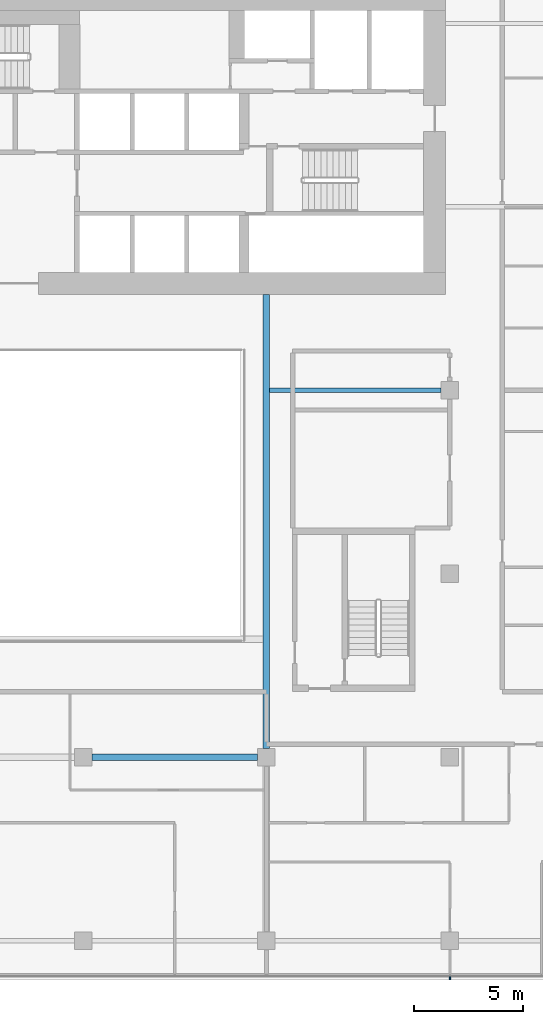
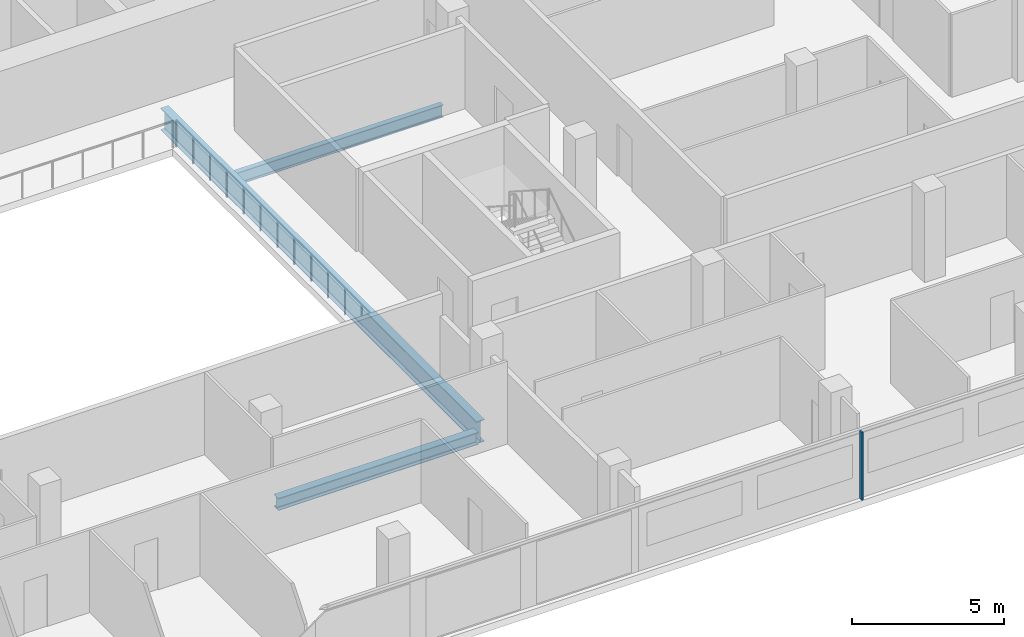
# One storey, part 6 of 27: 3 beams, 1 member, 1 element without a shape of its own.
"""IFC4 building model written with IfcOpenShell, lengths in metres."""

from ifc_helpers import new_model, si_unit, direction, frame, origin, origin_2d, place, context, subcontext, project, spatial, rectangle, i_section, extrude, material, material_profile, profile_set, type_object, element, aggregate, save


model = new_model("IFC4")

# Units and contexts
model_context = context("Model", 3, precision=1e-05, world=origin(), true_north=direction((0.0, 1.0)))
body_context = subcontext(model_context, "Body", "Model", "MODEL_VIEW")
ifc_project = project(units=[si_unit("LENGTHUNIT", "METRE"), si_unit("AREAUNIT", "SQUARE_METRE"), si_unit("VOLUMEUNIT", "CUBIC_METRE"), si_unit("PLANEANGLEUNIT", "RADIAN"), si_unit("MASSUNIT", "GRAM", prefix="KILO")], contexts=[model_context])

# Site, building, storey
site_placement = place(None, origin())
site = spatial("IfcSite", under=ifc_project, at=site_placement, CompositionType="ELEMENT")
building_placement = place(site_placement, origin())
building = spatial("IfcBuilding", under=site, at=building_placement, Name="Saffron Gate Tower", CompositionType="ELEMENT")
storey_placement = place(building_placement, frame((0.0, 0.0, 134.85009765625)))
storey = spatial("IfcBuildingStorey", under=building, at=storey_placement, Name="L32", CompositionType="ELEMENT", Elevation=134.85009765625)

# Beams
ifc_material_1 = material(Name="Structural steel S355", Category="steel")
ifc_material_profile_1 = material_profile(ifc_material_1, i_section(OverallWidth=0.199951171875, OverallDepth=0.5, WebThickness=0.01025390625, FlangeThickness=0.01611328125, FilletRadius=0.02099609375, at=origin_2d()))
ifc_profile_set_1 = profile_set([ifc_material_profile_1], Name="Structural steel S355")
beam_type_1 = type_object("IfcBeamType", Name="B10 IPE 500", PredefinedType="BEAM", material=ifc_profile_set_1)
beam_1_placement = place(storey_placement, frame((108.199951171875, 57.0, -0.530029296875), z_axis=(-1.0, 0.0, 0.0), x_axis=(0.0, -1.0, 0.0)))
element("IfcBeam", 1, at=beam_1_placement, inside=storey, type_object=beam_type_1, Name="B10 CORE TIE BEAM", PredefinedType="BEAM", context=body_context, shape_type="SweptSolid", body=[
    extrude(i_section(OverallWidth=0.199951171875, OverallDepth=0.5, WebThickness=0.01025390625, FlangeThickness=0.01611328125, FilletRadius=0.02099609375, at=origin_2d()), origin(), (0.0, 0.0, 1.0), 7.849853515625),
])
ifc_material_profile_2 = material_profile(ifc_material_1, i_section(OverallWidth=0.300048828125, OverallDepth=0.889892578125, WebThickness=0.01611328125, FlangeThickness=0.030029296875, FilletRadius=0.030029296875, at=origin_2d()))
ifc_profile_set_2 = profile_set([ifc_material_profile_2], Name="Structural steel S355")
beam_type_2 = type_object("IfcBeamType", Name="B19 HEA 900", PredefinedType="BEAM", material=ifc_profile_set_2)
beam_2_placement = place(storey_placement, frame((100.199951171875, 40.60009765625, -0.72509765625), z_axis=(0.0, 1.0, 0.0), x_axis=(-1.0, 0.0, 0.0)))
element("IfcBeam", 2, at=beam_2_placement, inside=storey, type_object=beam_type_2, Name="B19 ATRIUM GIRDER", PredefinedType="BEAM", context=body_context, shape_type="SweptSolid", body=[
    extrude(i_section(OverallWidth=0.300048828125, OverallDepth=0.889892578125, WebThickness=0.01611328125, FlangeThickness=0.030029296875, FilletRadius=0.030029296875, at=origin_2d()), origin(), (0.0, 0.0, 1.0), 20.7998046875),
])
ifc_material_profile_3 = material_profile(ifc_material_1, i_section(OverallWidth=0.300048828125, OverallDepth=0.489990234375, WebThickness=0.011962890625, FlangeThickness=0.02294921875, FilletRadius=0.027099609375, at=origin_2d()))
ifc_profile_set_3 = profile_set([ifc_material_profile_3], Name="Structural steel S355")
beam_type_3 = type_object("IfcBeamType", Name="B8 HEA 500", PredefinedType="BEAM", material=ifc_profile_set_3)
beam_3_placement = place(storey_placement, frame((92.199951171875, 40.199951171875, -0.525146484375), z_axis=(1.0, 0.0, 0.0), x_axis=(0.0, 1.0, 0.0)))
element("IfcBeam", 3, at=beam_3_placement, inside=storey, type_object=beam_type_3, Name="B8 FLOOR GIRDER", PredefinedType="BEAM", context=body_context, shape_type="SweptSolid", body=[
    extrude(i_section(OverallWidth=0.300048828125, OverallDepth=0.489990234375, WebThickness=0.011962890625, FlangeThickness=0.02294921875, FilletRadius=0.027099609375, at=origin_2d()), origin(), (0.0, 0.0, 1.0), 7.60009765625),
])

# Curtain wall, member
ifc_material_2 = material(Name="Aluminium, bronze anodised", Category="aluminium")
curtain_wall_type = type_object("IfcCurtainWallType", Name="CWS1 curtain wall front facade", PredefinedType="NOTDEFINED", material=ifc_material_2)
curtain_wall_placement = place(storey_placement, origin())
curtain_wall = element("IfcCurtainWall", 4, at=curtain_wall_placement, inside=storey, type_object=curtain_wall_type, Name="CWS1 run 1", PredefinedType="NOTDEFINED")
ifc_material_profile_4 = material_profile(ifc_material_2, rectangle(XDim=0.159912109375, YDim=0.06005859375, at=origin_2d()))
ifc_profile_set_4 = profile_set([ifc_material_profile_4], Name="Aluminium, bronze anodised")
member_type = type_object("IfcMemberType", Name="CWS1 mullion 60x160", PredefinedType="MULLION", material=ifc_profile_set_4)
member_placement = place(storey_placement, frame((108.60009765625, 30.080078125, 0.0), z_axis=(0.0, 0.0, 1.0), x_axis=(0.0, 1.0, 0.0)))
member = element("IfcMember", 5, at=member_placement, type_object=member_type, Name="CWS1 mullion 8", PredefinedType="MULLION", context=body_context, shape_type="SweptSolid", body=[
    extrude(rectangle(XDim=0.159912109375, YDim=0.06005859375, at=origin_2d()), origin(), (0.0, 0.0, 1.0), 2.719970703125),
])
aggregate(curtain_wall, [member])

save(model, "model.ifc")
